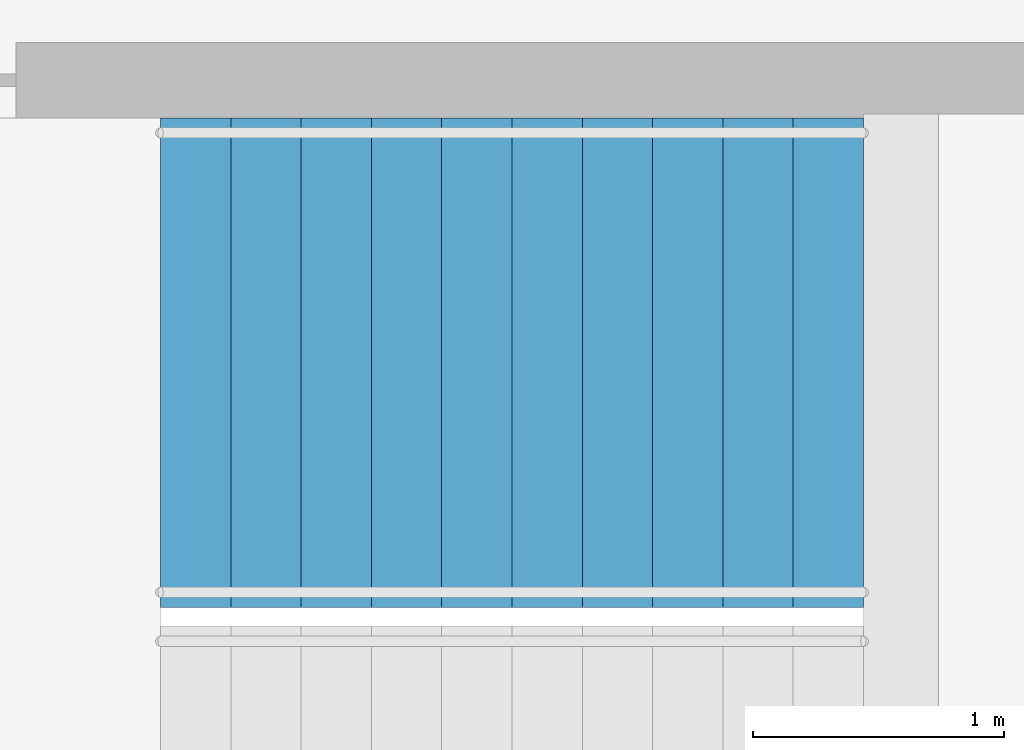
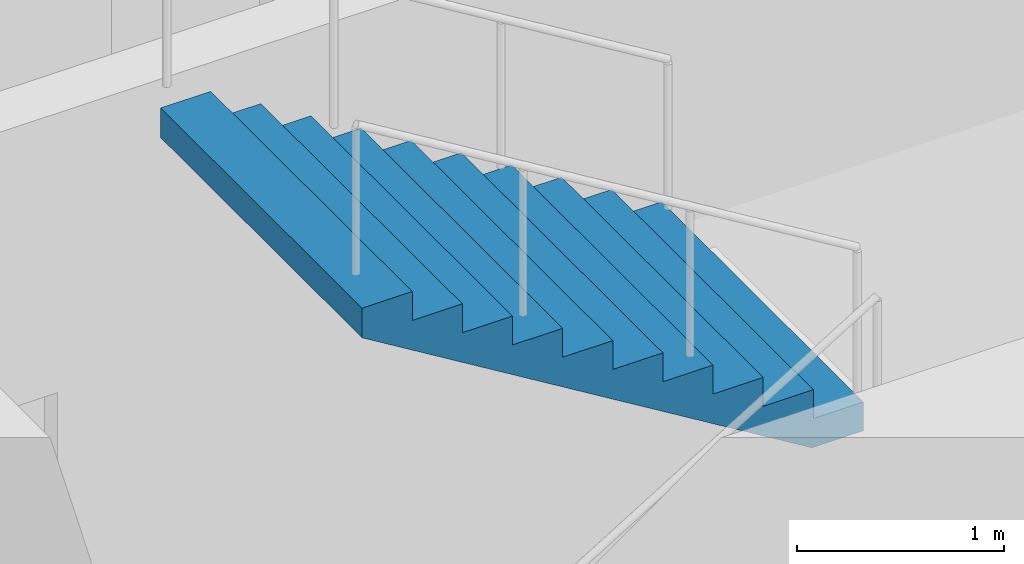
# One storey, part 18 of 21: 1 stair flight, 1 element without a shape of its own.
"""IFC4 building model written with IfcOpenShell, lengths in metres."""

from ifc_helpers import new_model, si_unit, direction, frame, origin, place, context, subcontext, project, spatial, triangles, material, type_object, element, aggregate, save


model = new_model("IFC4")

# Units and contexts
model_context = context("Model", 3, precision=1e-05, world=origin(), true_north=direction((0.0, 1.0)))
body_context = subcontext(model_context, "Body", "Model", "MODEL_VIEW")
ifc_project = project(units=[si_unit("LENGTHUNIT", "METRE"), si_unit("AREAUNIT", "SQUARE_METRE"), si_unit("VOLUMEUNIT", "CUBIC_METRE"), si_unit("PLANEANGLEUNIT", "RADIAN"), si_unit("MASSUNIT", "GRAM", prefix="KILO")], contexts=[model_context])

# Site, building, storey
site_placement = place(None, origin())
site = spatial("IfcSite", under=ifc_project, at=site_placement, CompositionType="ELEMENT")
building_placement = place(site_placement, origin())
building = spatial("IfcBuilding", under=site, at=building_placement, Name="Orbita Commons", CompositionType="ELEMENT")
storey_placement = place(building_placement, frame((0.0, 0.0, 106.89990234375)))
storey = spatial("IfcBuildingStorey", under=building, at=storey_placement, Name="L26", CompositionType="ELEMENT", Elevation=106.89990234375)

# Stair, stair flight
ifc_material_1 = material(Name="Precast concrete C40/50", Category="concrete")
stair_type = type_object("IfcStairType", Name="Exit stair S1 2 flights 11 risers 170", PredefinedType="HALF_TURN_STAIR", material=ifc_material_1)
stair_placement = place(storey_placement, origin())
stair = element("IfcStair", 1, at=stair_placement, inside=storey, type_object=stair_type, Name="Exit stair S1 L26", PredefinedType="HALF_TURN_STAIR")
ifc_material_2 = material(Name="Precast concrete C40/50", Category="concrete")
stair_flight_type = type_object("IfcStairFlightType", Name="Stair flight 11 risers 170 x 280", PredefinedType="STRAIGHT", material=ifc_material_2)
stair_flight_placement = place(storey_placement, frame((23.25, 29.27490234375, 1.875), z_axis=(0.0, 0.0, 1.0), x_axis=(-1.0, 0.0, 0.0)))
stair_flight = element("IfcStairFlight", 2, at=stair_flight_placement, type_object=stair_flight_type, Name="S1 flight 2", NumberOfRisers=11, NumberOfTreads=10, PredefinedType="STRAIGHT", RiserHeight=0.170454545, TreadLength=0.28, context=body_context, shape_type="Tessellation", body=[
    triangles([(0.0, 0.974976, 0.0), (0.0, 0.974976, 0.021307), (0.0, 0.81248, 0.021307), (0.0, 0.81248, 0.0), (0.0, 0.649984, 0.021307), (0.0, 0.649984, 0.0), (0.0, 0.487488, 0.021307), (0.0, 0.487488, 0.0), (0.0, 0.324992, 0.021307), (0.0, 0.324992, 0.0), (0.0, 0.162496, 0.021307), (0.0, 0.162496, 0.0), (0.0, 0.0, 0.021307), (0.0, 0.0, 0.0), (0.0, -0.162496, 0.021307), (0.0, -0.162496, 0.0), (0.0, -0.324992, 0.021307), (0.0, -0.324992, 0.0), (0.0, -0.487488, 0.021307), (0.0, -0.487488, 0.0), (0.0, -0.649984, 0.021307), (0.0, -0.649984, 0.0), (0.0, -0.81248, 0.021307), (0.0, -0.81248, 0.0), (0.0, -0.974976, 0.021307), (0.0, -0.974976, 0.0), (0.0, 0.974976, 0.042614), (0.0, 0.81248, 0.042614), (0.0, 0.649984, 0.042614), (0.0, 0.487488, 0.042614), (0.0, 0.324992, 0.042614), (0.0, 0.162496, 0.042614), (0.0, 0.0, 0.042614), (0.0, -0.162496, 0.042614), (0.0, -0.324992, 0.042614), (0.0, -0.487488, 0.042614), (0.0, -0.649984, 0.042614), (0.0, -0.81248, 0.042614), (0.0, -0.974976, 0.042614), (0.0, 0.974976, 0.06392), (0.0, 0.81248, 0.06392), (0.0, 0.649984, 0.06392), (0.0, 0.487488, 0.06392), (0.0, 0.324992, 0.06392), (0.0, 0.162496, 0.06392), (0.0, 0.0, 0.06392), (0.0, -0.162496, 0.06392), (0.0, -0.324992, 0.06392), (0.0, -0.487488, 0.06392), (0.0, -0.649984, 0.06392), (0.0, -0.81248, 0.06392), (0.0, -0.974976, 0.06392), (0.0, 0.974976, 0.085227), (0.0, 0.81248, 0.085227), (0.0, 0.649984, 0.085227), (0.0, 0.487488, 0.085227), (0.0, 0.324992, 0.085227), (0.0, 0.162496, 0.085227), (0.0, 0.0, 0.085227), (0.0, -0.162496, 0.085227), (0.0, -0.324992, 0.085227), (0.0, -0.487488, 0.085227), (0.0, -0.649984, 0.085227), (0.0, -0.81248, 0.085227), (0.0, -0.974976, 0.085227), (0.0, 0.974976, 0.106534), (0.0, 0.81248, 0.106534), (0.0, 0.649984, 0.106534), (0.0, 0.487488, 0.106534), (0.0, 0.324992, 0.106534), (0.0, 0.162496, 0.106534), (0.0, 0.0, 0.106534), (0.0, -0.162496, 0.106534), (0.0, -0.324992, 0.106534), (0.0, -0.487488, 0.106534), (0.0, -0.649984, 0.106534), (0.0, -0.81248, 0.106534), (0.0, -0.974976, 0.106534), (0.0, 0.974976, 0.127841), (0.0, 0.81248, 0.127841), (0.0, 0.649984, 0.127841), (0.0, 0.487488, 0.127841), (0.0, 0.324992, 0.127841), (0.0, 0.162496, 0.127841), (0.0, 0.0, 0.127841), (0.0, -0.162496, 0.127841), (0.0, -0.324992, 0.127841), (0.0, -0.487488, 0.127841), (0.0, -0.649984, 0.127841), (0.0, -0.81248, 0.127841), (0.0, -0.974976, 0.127841), (0.0, 0.974976, 0.149148), (0.0, 0.81248, 0.149148), (0.0, 0.649984, 0.149148), (0.0, 0.487488, 0.149148), (0.0, 0.324992, 0.149148), (0.0, 0.162496, 0.149148), (0.0, 0.0, 0.149148), (0.0, -0.162496, 0.149148), (0.0, -0.324992, 0.149148), (0.0, -0.487488, 0.149148), (0.0, -0.649984, 0.149148), (0.0, -0.81248, 0.149148), (0.0, -0.974976, 0.149148), (0.0, 0.974976, 0.170455), (0.0, 0.81248, 0.170455), (0.0, 0.649984, 0.170455), (0.0, 0.487488, 0.170455), (0.0, 0.324992, 0.170455), (0.0, 0.162496, 0.170455), (0.0, 0.0, 0.170455), (0.0, -0.162496, 0.170455), (0.0, -0.324992, 0.170455), (0.0, -0.487488, 0.170455), (0.0, -0.649984, 0.170455), (0.0, -0.81248, 0.170455), (0.0, -0.974976, 0.170455), (0.28, 0.974976, 0.170455), (0.28, 0.81248, 0.170455), (0.28, 0.649984, 0.170455), (0.28, 0.487488, 0.170455), (0.28, 0.324992, 0.170455), (0.28, 0.162496, 0.170455), (0.28, 0.0, 0.170455), (0.28, -0.162496, 0.170455), (0.28, -0.324992, 0.170455), (0.28, -0.487488, 0.170455), (0.28, -0.649984, 0.170455), (0.28, -0.81248, 0.170455), (0.28, -0.974976, 0.170455), (0.28, 0.974976, 0.340909), (0.28, 0.81248, 0.340909), (0.28, 0.649984, 0.340909), (0.28, 0.487488, 0.340909), (0.28, 0.324992, 0.340909), (0.28, 0.162496, 0.340909), (0.28, 0.0, 0.340909), (0.28, -0.162496, 0.340909), (0.28, -0.324992, 0.340909), (0.28, -0.487488, 0.340909), (0.28, -0.649984, 0.340909), (0.28, -0.81248, 0.340909), (0.28, -0.974976, 0.340909), (0.56, 0.974976, 0.340909), (0.56, 0.81248, 0.340909), (0.56, 0.649984, 0.340909), (0.56, 0.487488, 0.340909), (0.56, 0.324992, 0.340909), (0.56, 0.162496, 0.340909), (0.56, 0.0, 0.340909), (0.56, -0.162496, 0.340909), (0.56, -0.324992, 0.340909), (0.56, -0.487488, 0.340909), (0.56, -0.649984, 0.340909), (0.56, -0.81248, 0.340909), (0.56, -0.974976, 0.340909), (0.56, 0.974976, 0.511364), (0.56, 0.81248, 0.511364), (0.56, 0.649984, 0.511364), (0.56, 0.487488, 0.511364), (0.56, 0.324992, 0.511364), (0.56, 0.162496, 0.511364), (0.56, 0.0, 0.511364), (0.56, -0.162496, 0.511364), (0.56, -0.324992, 0.511364), (0.56, -0.487488, 0.511364), (0.56, -0.649984, 0.511364), (0.56, -0.81248, 0.511364), (0.56, -0.974976, 0.511364), (0.84, 0.974976, 0.511364), (0.84, 0.81248, 0.511364), (0.84, 0.649984, 0.511364), (0.84, 0.487488, 0.511364), (0.84, 0.324992, 0.511364), (0.84, 0.162496, 0.511364), (0.84, 0.0, 0.511364), (0.84, -0.162496, 0.511364), (0.84, -0.324992, 0.511364), (0.84, -0.487488, 0.511364), (0.84, -0.649984, 0.511364), (0.84, -0.81248, 0.511364), (0.84, -0.974976, 0.511364), (0.84, 0.974976, 0.681818), (0.84, 0.81248, 0.681818), (0.84, 0.649984, 0.681818), (0.84, 0.487488, 0.681818), (0.84, 0.324992, 0.681818), (0.84, 0.162496, 0.681818), (0.84, 0.0, 0.681818), (0.84, -0.162496, 0.681818), (0.84, -0.324992, 0.681818), (0.84, -0.487488, 0.681818), (0.84, -0.649984, 0.681818), (0.84, -0.81248, 0.681818), (0.84, -0.974976, 0.681818), (1.12, 0.974976, 0.681818), (1.12, 0.81248, 0.681818), (1.12, 0.649984, 0.681818), (1.12, 0.487488, 0.681818), (1.12, 0.324992, 0.681818), (1.12, 0.162496, 0.681818), (1.12, 0.0, 0.681818), (1.12, -0.162496, 0.681818), (1.12, -0.324992, 0.681818), (1.12, -0.487488, 0.681818), (1.12, -0.649984, 0.681818), (1.12, -0.81248, 0.681818), (1.12, -0.974976, 0.681818), (1.12, 0.974976, 0.852273), (1.12, 0.81248, 0.852273), (1.12, 0.649984, 0.852273), (1.12, 0.487488, 0.852273), (1.12, 0.324992, 0.852273), (1.12, 0.162496, 0.852273), (1.12, 0.0, 0.852273), (1.12, -0.162496, 0.852273), (1.12, -0.324992, 0.852273), (1.12, -0.487488, 0.852273), (1.12, -0.649984, 0.852273), (1.12, -0.81248, 0.852273), (1.12, -0.974976, 0.852273), (1.4, 0.974976, 0.852273), (1.4, 0.81248, 0.852273), (1.4, 0.649984, 0.852273), (1.4, 0.487488, 0.852273), (1.4, 0.324992, 0.852273), (1.4, 0.162496, 0.852273), (1.4, 0.0, 0.852273), (1.4, -0.162496, 0.852273), (1.4, -0.324992, 0.852273), (1.4, -0.487488, 0.852273), (1.4, -0.649984, 0.852273), (1.4, -0.81248, 0.852273), (1.4, -0.974976, 0.852273), (1.4, 0.974976, 1.022727), (1.4, 0.81248, 1.022727), (1.4, 0.649984, 1.022727), (1.4, 0.487488, 1.022727), (1.4, 0.324992, 1.022727), (1.4, 0.162496, 1.022727), (1.4, 0.0, 1.022727), (1.4, -0.162496, 1.022727), (1.4, -0.324992, 1.022727), (1.4, -0.487488, 1.022727), (1.4, -0.649984, 1.022727), (1.4, -0.81248, 1.022727), (1.4, -0.974976, 1.022727), (1.68, 0.974976, 1.022727), (1.68, 0.81248, 1.022727), (1.68, 0.649984, 1.022727), (1.68, 0.487488, 1.022727), (1.68, 0.324992, 1.022727), (1.68, 0.162496, 1.022727), (1.68, 0.0, 1.022727), (1.68, -0.162496, 1.022727), (1.68, -0.324992, 1.022727), (1.68, -0.487488, 1.022727), (1.68, -0.649984, 1.022727), (1.68, -0.81248, 1.022727), (1.68, -0.974976, 1.022727), (1.68, 0.974976, 1.193182), (1.68, 0.81248, 1.193182), (1.68, 0.649984, 1.193182), (1.68, 0.487488, 1.193182), (1.68, 0.324992, 1.193182), (1.68, 0.162496, 1.193182), (1.68, 0.0, 1.193182), (1.68, -0.162496, 1.193182), (1.68, -0.324992, 1.193182), (1.68, -0.487488, 1.193182), (1.68, -0.649984, 1.193182), (1.68, -0.81248, 1.193182), (1.68, -0.974976, 1.193182), (1.96, 0.974976, 1.193182), (1.96, 0.81248, 1.193182), (1.96, 0.649984, 1.193182), (1.96, 0.487488, 1.193182), (1.96, 0.324992, 1.193182), (1.96, 0.162496, 1.193182), (1.96, 0.0, 1.193182), (1.96, -0.162496, 1.193182), (1.96, -0.324992, 1.193182), (1.96, -0.487488, 1.193182), (1.96, -0.649984, 1.193182), (1.96, -0.81248, 1.193182), (1.96, -0.974976, 1.193182), (1.96, 0.974976, 1.363636), (1.96, 0.81248, 1.363636), (1.96, 0.649984, 1.363636), (1.96, 0.487488, 1.363636), (1.96, 0.324992, 1.363636), (1.96, 0.162496, 1.363636), (1.96, 0.0, 1.363636), (1.96, -0.162496, 1.363636), (1.96, -0.324992, 1.363636), (1.96, -0.487488, 1.363636), (1.96, -0.649984, 1.363636), (1.96, -0.81248, 1.363636), (1.96, -0.974976, 1.363636), (2.24, 0.974976, 1.363636), (2.24, 0.81248, 1.363636), (2.24, 0.649984, 1.363636), (2.24, 0.487488, 1.363636), (2.24, 0.324992, 1.363636), (2.24, 0.162496, 1.363636), (2.24, 0.0, 1.363636), (2.24, -0.162496, 1.363636), (2.24, -0.324992, 1.363636), (2.24, -0.487488, 1.363636), (2.24, -0.649984, 1.363636), (2.24, -0.81248, 1.363636), (2.24, -0.974976, 1.363636), (2.24, 0.974976, 1.534091), (2.24, 0.81248, 1.534091), (2.24, 0.649984, 1.534091), (2.24, 0.487488, 1.534091), (2.24, 0.324992, 1.534091), (2.24, 0.162496, 1.534091), (2.24, 0.0, 1.534091), (2.24, -0.162496, 1.534091), (2.24, -0.324992, 1.534091), (2.24, -0.487488, 1.534091), (2.24, -0.649984, 1.534091), (2.24, -0.81248, 1.534091), (2.24, -0.974976, 1.534091), (2.52, 0.974976, 1.534091), (2.52, 0.81248, 1.534091), (2.52, 0.649984, 1.534091), (2.52, 0.487488, 1.534091), (2.52, 0.324992, 1.534091), (2.52, 0.162496, 1.534091), (2.52, 0.0, 1.534091), (2.52, -0.162496, 1.534091), (2.52, -0.324992, 1.534091), (2.52, -0.487488, 1.534091), (2.52, -0.649984, 1.534091), (2.52, -0.81248, 1.534091), (2.52, -0.974976, 1.534091), (2.52, 0.974976, 1.704545), (2.52, 0.81248, 1.704545), (2.52, 0.649984, 1.704545), (2.52, 0.487488, 1.704545), (2.52, 0.324992, 1.704545), (2.52, 0.162496, 1.704545), (2.52, 0.0, 1.704545), (2.52, -0.162496, 1.704545), (2.52, -0.324992, 1.704545), (2.52, -0.487488, 1.704545), (2.52, -0.649984, 1.704545), (2.52, -0.81248, 1.704545), (2.52, -0.974976, 1.704545), (2.8, 0.974976, 1.704545), (2.8, 0.81248, 1.704545), (2.8, 0.649984, 1.704545), (2.8, 0.487488, 1.704545), (2.8, 0.324992, 1.704545), (2.8, 0.162496, 1.704545), (2.8, 0.0, 1.704545), (2.8, -0.162496, 1.704545), (2.8, -0.324992, 1.704545), (2.8, -0.487488, 1.704545), (2.8, -0.649984, 1.704545), (2.8, -0.81248, 1.704545), (2.8, -0.974976, 1.704545), (2.8, 0.974976, 1.682609), (2.8, 0.81248, 1.682609), (2.8, 0.649984, 1.682609), (2.8, 0.487488, 1.682609), (2.8, 0.324992, 1.682609), (2.8, 0.162496, 1.682609), (2.8, 0.0, 1.682609), (2.8, -0.162496, 1.682609), (2.8, -0.324992, 1.682609), (2.8, -0.487488, 1.682609), (2.8, -0.649984, 1.682609), (2.8, -0.81248, 1.682609), (2.8, -0.974976, 1.682609), (2.8, 0.974976, 1.660672), (2.8, 0.81248, 1.660672), (2.8, 0.649984, 1.660672), (2.8, 0.487488, 1.660672), (2.8, 0.324992, 1.660672), (2.8, 0.162496, 1.660672), (2.8, 0.0, 1.660672), (2.8, -0.162496, 1.660672), (2.8, -0.324992, 1.660672), (2.8, -0.487488, 1.660672), (2.8, -0.649984, 1.660672), (2.8, -0.81248, 1.660672), (2.8, -0.974976, 1.660672), (2.8, 0.974976, 1.638735), (2.8, 0.81248, 1.638735), (2.8, 0.649984, 1.638735), (2.8, 0.487488, 1.638735), (2.8, 0.324992, 1.638735), (2.8, 0.162496, 1.638735), (2.8, 0.0, 1.638735), (2.8, -0.162496, 1.638735), (2.8, -0.324992, 1.638735), (2.8, -0.487488, 1.638735), (2.8, -0.649984, 1.638735), (2.8, -0.81248, 1.638735), (2.8, -0.974976, 1.638735), (2.8, 0.974976, 1.616798), (2.8, 0.81248, 1.616798), (2.8, 0.649984, 1.616798), (2.8, 0.487488, 1.616798), (2.8, 0.324992, 1.616798), (2.8, 0.162496, 1.616798), (2.8, 0.0, 1.616798), (2.8, -0.162496, 1.616798), (2.8, -0.324992, 1.616798), (2.8, -0.487488, 1.616798), (2.8, -0.649984, 1.616798), (2.8, -0.81248, 1.616798), (2.8, -0.974976, 1.616798), (2.8, 0.974976, 1.594861), (2.8, 0.81248, 1.594861), (2.8, 0.649984, 1.594861), (2.8, 0.487488, 1.594861), (2.8, 0.324992, 1.594861), (2.8, 0.162496, 1.594861), (2.8, 0.0, 1.594861), (2.8, -0.162496, 1.594861), (2.8, -0.324992, 1.594861), (2.8, -0.487488, 1.594861), (2.8, -0.649984, 1.594861), (2.8, -0.81248, 1.594861), (2.8, -0.974976, 1.594861), (2.8, 0.974976, 1.572925), (2.8, 0.81248, 1.572925), (2.8, 0.649984, 1.572925), (2.8, 0.487488, 1.572925), (2.8, 0.324992, 1.572925), (2.8, 0.162496, 1.572925), (2.8, 0.0, 1.572925), (2.8, -0.162496, 1.572925), (2.8, -0.324992, 1.572925), (2.8, -0.487488, 1.572925), (2.8, -0.649984, 1.572925), (2.8, -0.81248, 1.572925), (2.8, -0.974976, 1.572925), (2.8, 0.974976, 1.550988), (2.8, 0.81248, 1.550988), (2.8, 0.649984, 1.550988), (2.8, 0.487488, 1.550988), (2.8, 0.324992, 1.550988), (2.8, 0.162496, 1.550988), (2.8, 0.0, 1.550988), (2.8, -0.162496, 1.550988), (2.8, -0.324992, 1.550988), (2.8, -0.487488, 1.550988), (2.8, -0.649984, 1.550988), (2.8, -0.81248, 1.550988), (2.8, -0.974976, 1.550988), (2.8, 0.974976, 1.529051), (2.8, 0.81248, 1.529051), (2.8, 0.649984, 1.529051), (2.8, 0.487488, 1.529051), (2.8, 0.324992, 1.529051), (2.8, 0.162496, 1.529051), (2.8, 0.0, 1.529051), (2.8, -0.162496, 1.529051), (2.8, -0.324992, 1.529051), (2.8, -0.487488, 1.529051), (2.8, -0.649984, 1.529051), (2.8, -0.81248, 1.529051), (2.8, -0.974976, 1.529051), (0.288279, 0.974976, 0.0), (0.288279, 0.81248, 0.0), (0.288279, 0.649984, 0.0), (0.288279, 0.487488, 0.0), (0.288279, 0.324992, 0.0), (0.288279, 0.162496, 0.0), (0.288279, 0.0, 0.0), (0.288279, -0.162496, 0.0), (0.288279, -0.324992, 0.0), (0.288279, -0.487488, 0.0), (0.288279, -0.649984, 0.0), (0.288279, -0.81248, 0.0), (0.288279, -0.974976, 0.0)], [[3, 2, 1], [4, 3, 1], [5, 3, 4], [6, 5, 4], [7, 5, 6], [8, 7, 6], [9, 7, 8], [10, 9, 8], [11, 9, 10], [12, 11, 10], [13, 11, 12], [14, 13, 12], [15, 13, 14], [16, 15, 14], [17, 15, 16], [18, 17, 16], [19, 17, 18], [20, 19, 18], [21, 19, 20], [22, 21, 20], [23, 21, 22], [24, 23, 22], [25, 23, 24], [26, 25, 24], [28, 27, 2], [3, 28, 2], [29, 28, 3], [5, 29, 3], [30, 29, 5], [7, 30, 5], [31, 30, 7], [9, 31, 7], [32, 31, 9], [11, 32, 9], [33, 32, 11], [13, 33, 11], [34, 33, 13], [15, 34, 13], [35, 34, 15], [17, 35, 15], [36, 35, 17], [19, 36, 17], [37, 36, 19], [21, 37, 19], [38, 37, 21], [23, 38, 21], [39, 38, 23], [25, 39, 23], [41, 40, 27], [28, 41, 27], [42, 41, 28], [29, 42, 28], [43, 42, 29], [30, 43, 29], [44, 43, 30], [31, 44, 30], [45, 44, 31], [32, 45, 31], [46, 45, 32], [33, 46, 32], [47, 46, 33], [34, 47, 33], [48, 47, 34], [35, 48, 34], [49, 48, 35], [36, 49, 35], [50, 49, 36], [37, 50, 36], [51, 50, 37], [38, 51, 37], [52, 51, 38], [39, 52, 38], [54, 53, 40], [41, 54, 40], [55, 54, 41], [42, 55, 41], [56, 55, 42], [43, 56, 42], [57, 56, 43], [44, 57, 43], [58, 57, 44], [45, 58, 44], [59, 58, 45], [46, 59, 45], [60, 59, 46], [47, 60, 46], [61, 60, 47], [48, 61, 47], [62, 61, 48], [49, 62, 48], [63, 62, 49], [50, 63, 49], [64, 63, 50], [51, 64, 50], [65, 64, 51], [52, 65, 51], [67, 66, 53], [54, 67, 53], [68, 67, 54], [55, 68, 54], [69, 68, 55], [56, 69, 55], [70, 69, 56], [57, 70, 56], [71, 70, 57], [58, 71, 57], [72, 71, 58], [59, 72, 58], [73, 72, 59], [60, 73, 59], [74, 73, 60], [61, 74, 60], [75, 74, 61], [62, 75, 61], [76, 75, 62], [63, 76, 62], [77, 76, 63], [64, 77, 63], [78, 77, 64], [65, 78, 64], [80, 79, 66], [67, 80, 66], [81, 80, 67], [68, 81, 67], [82, 81, 68], [69, 82, 68], [83, 82, 69], [70, 83, 69], [84, 83, 70], [71, 84, 70], [85, 84, 71], [72, 85, 71], [86, 85, 72], [73, 86, 72], [87, 86, 73], [74, 87, 73], [88, 87, 74], [75, 88, 74], [89, 88, 75], [76, 89, 75], [90, 89, 76], [77, 90, 76], [91, 90, 77], [78, 91, 77], [93, 92, 79], [80, 93, 79], [94, 93, 80], [81, 94, 80], [95, 94, 81], [82, 95, 81], [96, 95, 82], [83, 96, 82], [97, 96, 83], [84, 97, 83], [98, 97, 84], [85, 98, 84], [99, 98, 85], [86, 99, 85], [100, 99, 86], [87, 100, 86], [101, 100, 87], [88, 101, 87], [102, 101, 88], [89, 102, 88], [103, 102, 89], [90, 103, 89], [104, 103, 90], [91, 104, 90], [106, 105, 92], [93, 106, 92], [107, 106, 93], [94, 107, 93], [108, 107, 94], [95, 108, 94], [109, 108, 95], [96, 109, 95], [110, 109, 96], [97, 110, 96], [111, 110, 97], [98, 111, 97], [112, 111, 98], [99, 112, 98], [113, 112, 99], [100, 113, 99], [114, 113, 100], [101, 114, 100], [115, 114, 101], [102, 115, 101], [116, 115, 102], [103, 116, 102], [117, 116, 103], [104, 117, 103], [119, 118, 105], [106, 119, 105], [120, 119, 106], [107, 120, 106], [121, 120, 107], [108, 121, 107], [122, 121, 108], [109, 122, 108], [123, 122, 109], [110, 123, 109], [124, 123, 110], [111, 124, 110], [125, 124, 111], [112, 125, 111], [126, 125, 112], [113, 126, 112], [127, 126, 113], [114, 127, 113], [128, 127, 114], [115, 128, 114], [129, 128, 115], [116, 129, 115], [130, 129, 116], [117, 130, 116], [132, 131, 118], [119, 132, 118], [133, 132, 119], [120, 133, 119], [134, 133, 120], [121, 134, 120], [135, 134, 121], [122, 135, 121], [136, 135, 122], [123, 136, 122], [137, 136, 123], [124, 137, 123], [138, 137, 124], [125, 138, 124], [139, 138, 125], [126, 139, 125], [140, 139, 126], [127, 140, 126], [141, 140, 127], [128, 141, 127], [142, 141, 128], [129, 142, 128], [143, 142, 129], [130, 143, 129], [145, 144, 131], [132, 145, 131], [146, 145, 132], [133, 146, 132], [147, 146, 133], [134, 147, 133], [148, 147, 134], [135, 148, 134], [149, 148, 135], [136, 149, 135], [150, 149, 136], [137, 150, 136], [151, 150, 137], [138, 151, 137], [152, 151, 138], [139, 152, 138], [153, 152, 139], [140, 153, 139], [154, 153, 140], [141, 154, 140], [155, 154, 141], [142, 155, 141], [156, 155, 142], [143, 156, 142], [158, 157, 144], [145, 158, 144], [159, 158, 145], [146, 159, 145], [160, 159, 146], [147, 160, 146], [161, 160, 147], [148, 161, 147], [162, 161, 148], [149, 162, 148], [163, 162, 149], [150, 163, 149], [164, 163, 150], [151, 164, 150], [165, 164, 151], [152, 165, 151], [166, 165, 152], [153, 166, 152], [167, 166, 153], [154, 167, 153], [168, 167, 154], [155, 168, 154], [169, 168, 155], [156, 169, 155], [171, 170, 157], [158, 171, 157], [172, 171, 158], [159, 172, 158], [173, 172, 159], [160, 173, 159], [174, 173, 160], [161, 174, 160], [175, 174, 161], [162, 175, 161], [176, 175, 162], [163, 176, 162], [177, 176, 163], [164, 177, 163], [178, 177, 164], [165, 178, 164], [179, 178, 165], [166, 179, 165], [180, 179, 166], [167, 180, 166], [181, 180, 167], [168, 181, 167], [182, 181, 168], [169, 182, 168], [184, 183, 170], [171, 184, 170], [185, 184, 171], [172, 185, 171], [186, 185, 172], [173, 186, 172], [187, 186, 173], [174, 187, 173], [188, 187, 174], [175, 188, 174], [189, 188, 175], [176, 189, 175], [190, 189, 176], [177, 190, 176], [191, 190, 177], [178, 191, 177], [192, 191, 178], [179, 192, 178], [193, 192, 179], [180, 193, 179], [194, 193, 180], [181, 194, 180], [195, 194, 181], [182, 195, 181], [197, 196, 183], [184, 197, 183], [198, 197, 184], [185, 198, 184], [199, 198, 185], [186, 199, 185], [200, 199, 186], [187, 200, 186], [201, 200, 187], [188, 201, 187], [202, 201, 188], [189, 202, 188], [203, 202, 189], [190, 203, 189], [204, 203, 190], [191, 204, 190], [205, 204, 191], [192, 205, 191], [206, 205, 192], [193, 206, 192], [207, 206, 193], [194, 207, 193], [208, 207, 194], [195, 208, 194], [210, 209, 196], [197, 210, 196], [211, 210, 197], [198, 211, 197], [212, 211, 198], [199, 212, 198], [213, 212, 199], [200, 213, 199], [214, 213, 200], [201, 214, 200], [215, 214, 201], [202, 215, 201], [216, 215, 202], [203, 216, 202], [217, 216, 203], [204, 217, 203], [218, 217, 204], [205, 218, 204], [219, 218, 205], [206, 219, 205], [220, 219, 206], [207, 220, 206], [221, 220, 207], [208, 221, 207], [223, 222, 209], [210, 223, 209], [224, 223, 210], [211, 224, 210], [225, 224, 211], [212, 225, 211], [226, 225, 212], [213, 226, 212], [227, 226, 213], [214, 227, 213], [228, 227, 214], [215, 228, 214], [229, 228, 215], [216, 229, 215], [230, 229, 216], [217, 230, 216], [231, 230, 217], [218, 231, 217], [232, 231, 218], [219, 232, 218], [233, 232, 219], [220, 233, 219], [234, 233, 220], [221, 234, 220], [236, 235, 222], [223, 236, 222], [237, 236, 223], [224, 237, 223], [238, 237, 224], [225, 238, 224], [239, 238, 225], [226, 239, 225], [240, 239, 226], [227, 240, 226], [241, 240, 227], [228, 241, 227], [242, 241, 228], [229, 242, 228], [243, 242, 229], [230, 243, 229], [244, 243, 230], [231, 244, 230], [245, 244, 231], [232, 245, 231], [246, 245, 232], [233, 246, 232], [247, 246, 233], [234, 247, 233], [249, 248, 235], [236, 249, 235], [250, 249, 236], [237, 250, 236], [251, 250, 237], [238, 251, 237], [252, 251, 238], [239, 252, 238], [253, 252, 239], [240, 253, 239], [254, 253, 240], [241, 254, 240], [255, 254, 241], [242, 255, 241], [256, 255, 242], [243, 256, 242], [257, 256, 243], [244, 257, 243], [258, 257, 244], [245, 258, 244], [259, 258, 245], [246, 259, 245], [260, 259, 246], [247, 260, 246], [262, 261, 248], [249, 262, 248], [263, 262, 249], [250, 263, 249], [264, 263, 250], [251, 264, 250], [265, 264, 251], [252, 265, 251], [266, 265, 252], [253, 266, 252], [267, 266, 253], [254, 267, 253], [268, 267, 254], [255, 268, 254], [269, 268, 255], [256, 269, 255], [270, 269, 256], [257, 270, 256], [271, 270, 257], [258, 271, 257], [272, 271, 258], [259, 272, 258], [273, 272, 259], [260, 273, 259], [275, 274, 261], [262, 275, 261], [276, 275, 262], [263, 276, 262], [277, 276, 263], [264, 277, 263], [278, 277, 264], [265, 278, 264], [279, 278, 265], [266, 279, 265], [280, 279, 266], [267, 280, 266], [281, 280, 267], [268, 281, 267], [282, 281, 268], [269, 282, 268], [283, 282, 269], [270, 283, 269], [284, 283, 270], [271, 284, 270], [285, 284, 271], [272, 285, 271], [286, 285, 272], [273, 286, 272], [288, 287, 274], [275, 288, 274], [289, 288, 275], [276, 289, 275], [290, 289, 276], [277, 290, 276], [291, 290, 277], [278, 291, 277], [292, 291, 278], [279, 292, 278], [293, 292, 279], [280, 293, 279], [294, 293, 280], [281, 294, 280], [295, 294, 281], [282, 295, 281], [296, 295, 282], [283, 296, 282], [297, 296, 283], [284, 297, 283], [298, 297, 284], [285, 298, 284], [299, 298, 285], [286, 299, 285], [301, 300, 287], [288, 301, 287], [302, 301, 288], [289, 302, 288], [303, 302, 289], [290, 303, 289], [304, 303, 290], [291, 304, 290], [305, 304, 291], [292, 305, 291], [306, 305, 292], [293, 306, 292], [307, 306, 293], [294, 307, 293], [308, 307, 294], [295, 308, 294], [309, 308, 295], [296, 309, 295], [310, 309, 296], [297, 310, 296], [311, 310, 297], [298, 311, 297], [312, 311, 298], [299, 312, 298], [314, 313, 300], [301, 314, 300], [315, 314, 301], [302, 315, 301], [316, 315, 302], [303, 316, 302], [317, 316, 303], [304, 317, 303], [318, 317, 304], [305, 318, 304], [319, 318, 305], [306, 319, 305], [320, 319, 306], [307, 320, 306], [321, 320, 307], [308, 321, 307], [322, 321, 308], [309, 322, 308], [323, 322, 309], [310, 323, 309], [324, 323, 310], [311, 324, 310], [325, 324, 311], [312, 325, 311], [327, 326, 313], [314, 327, 313], [328, 327, 314], [315, 328, 314], [329, 328, 315], [316, 329, 315], [330, 329, 316], [317, 330, 316], [331, 330, 317], [318, 331, 317], [332, 331, 318], [319, 332, 318], [333, 332, 319], [320, 333, 319], [334, 333, 320], [321, 334, 320], [335, 334, 321], [322, 335, 321], [336, 335, 322], [323, 336, 322], [337, 336, 323], [324, 337, 323], [338, 337, 324], [325, 338, 324], [340, 339, 326], [327, 340, 326], [341, 340, 327], [328, 341, 327], [342, 341, 328], [329, 342, 328], [343, 342, 329], [330, 343, 329], [344, 343, 330], [331, 344, 330], [345, 344, 331], [332, 345, 331], [346, 345, 332], [333, 346, 332], [347, 346, 333], [334, 347, 333], [348, 347, 334], [335, 348, 334], [349, 348, 335], [336, 349, 335], [350, 349, 336], [337, 350, 336], [351, 350, 337], [338, 351, 337], [353, 352, 339], [340, 353, 339], [354, 353, 340], [341, 354, 340], [355, 354, 341], [342, 355, 341], [356, 355, 342], [343, 356, 342], [357, 356, 343], [344, 357, 343], [358, 357, 344], [345, 358, 344], [359, 358, 345], [346, 359, 345], [360, 359, 346], [347, 360, 346], [361, 360, 347], [348, 361, 347], [362, 361, 348], [349, 362, 348], [363, 362, 349], [350, 363, 349], [364, 363, 350], [351, 364, 350], [366, 365, 352], [353, 366, 352], [367, 366, 353], [354, 367, 353], [368, 367, 354], [355, 368, 354], [369, 368, 355], [356, 369, 355], [370, 369, 356], [357, 370, 356], [371, 370, 357], [358, 371, 357], [372, 371, 358], [359, 372, 358], [373, 372, 359], [360, 373, 359], [374, 373, 360], [361, 374, 360], [375, 374, 361], [362, 375, 361], [376, 375, 362], [363, 376, 362], [377, 376, 363], [364, 377, 363], [379, 378, 365], [366, 379, 365], [380, 379, 366], [367, 380, 366], [381, 380, 367], [368, 381, 367], [382, 381, 368], [369, 382, 368], [383, 382, 369], [370, 383, 369], [384, 383, 370], [371, 384, 370], [385, 384, 371], [372, 385, 371], [386, 385, 372], [373, 386, 372], [387, 386, 373], [374, 387, 373], [388, 387, 374], [375, 388, 374], [389, 388, 375], [376, 389, 375], [390, 389, 376], [377, 390, 376], [392, 391, 378], [379, 392, 378], [393, 392, 379], [380, 393, 379], [394, 393, 380], [381, 394, 380], [395, 394, 381], [382, 395, 381], [396, 395, 382], [383, 396, 382], [397, 396, 383], [384, 397, 383], [398, 397, 384], [385, 398, 384], [399, 398, 385], [386, 399, 385], [400, 399, 386], [387, 400, 386], [401, 400, 387], [388, 401, 387], [402, 401, 388], [389, 402, 388], [403, 402, 389], [390, 403, 389], [405, 404, 391], [392, 405, 391], [406, 405, 392], [393, 406, 392], [407, 406, 393], [394, 407, 393], [408, 407, 394], [395, 408, 394], [409, 408, 395], [396, 409, 395], [410, 409, 396], [397, 410, 396], [411, 410, 397], [398, 411, 397], [412, 411, 398], [399, 412, 398], [413, 412, 399], [400, 413, 399], [414, 413, 400], [401, 414, 400], [415, 414, 401], [402, 415, 401], [416, 415, 402], [403, 416, 402], [418, 417, 404], [405, 418, 404], [419, 418, 405], [406, 419, 405], [420, 419, 406], [407, 420, 406], [421, 420, 407], [408, 421, 407], [422, 421, 408], [409, 422, 408], [423, 422, 409], [410, 423, 409], [424, 423, 410], [411, 424, 410], [425, 424, 411], [412, 425, 411], [426, 425, 412], [413, 426, 412], [427, 426, 413], [414, 427, 413], [428, 427, 414], [415, 428, 414], [429, 428, 415], [416, 429, 415], [431, 430, 417], [418, 431, 417], [432, 431, 418], [419, 432, 418], [433, 432, 419], [420, 433, 419], [434, 433, 420], [421, 434, 420], [435, 434, 421], [422, 435, 421], [436, 435, 422], [423, 436, 422], [437, 436, 423], [424, 437, 423], [438, 437, 424], [425, 438, 424], [439, 438, 425], [426, 439, 425], [440, 439, 426], [427, 440, 426], [441, 440, 427], [428, 441, 427], [442, 441, 428], [429, 442, 428], [444, 443, 430], [431, 444, 430], [445, 444, 431], [432, 445, 431], [446, 445, 432], [433, 446, 432], [447, 446, 433], [434, 447, 433], [448, 447, 434], [435, 448, 434], [449, 448, 435], [436, 449, 435], [450, 449, 436], [437, 450, 436], [451, 450, 437], [438, 451, 437], [452, 451, 438], [439, 452, 438], [453, 452, 439], [440, 453, 439], [454, 453, 440], [441, 454, 440], [455, 454, 441], [442, 455, 441], [457, 456, 443], [444, 457, 443], [458, 457, 444], [445, 458, 444], [459, 458, 445], [446, 459, 445], [460, 459, 446], [447, 460, 446], [461, 460, 447], [448, 461, 447], [462, 461, 448], [449, 462, 448], [463, 462, 449], [450, 463, 449], [464, 463, 450], [451, 464, 450], [465, 464, 451], [452, 465, 451], [466, 465, 452], [453, 466, 452], [467, 466, 453], [454, 467, 453], [468, 467, 454], [455, 468, 454], [470, 469, 456], [457, 470, 456], [471, 470, 457], [458, 471, 457], [472, 471, 458], [459, 472, 458], [473, 472, 459], [460, 473, 459], [474, 473, 460], [461, 474, 460], [475, 474, 461], [462, 475, 461], [476, 475, 462], [463, 476, 462], [477, 476, 463], [464, 477, 463], [478, 477, 464], [465, 478, 464], [479, 478, 465], [466, 479, 465], [480, 479, 466], [467, 480, 466], [481, 480, 467], [468, 481, 467], [4, 1, 469], [470, 4, 469], [6, 4, 470], [471, 6, 470], [8, 6, 471], [472, 8, 471], [10, 8, 472], [473, 10, 472], [12, 10, 473], [474, 12, 473], [14, 12, 474], [475, 14, 474], [16, 14, 475], [476, 16, 475], [18, 16, 476], [477, 18, 476], [20, 18, 477], [478, 20, 477], [22, 20, 478], [479, 22, 478], [24, 22, 479], [480, 24, 479], [26, 24, 480], [481, 26, 480], [456, 469, 1], [26, 481, 468], [443, 456, 1], [26, 468, 455], [430, 443, 1], [26, 455, 442], [417, 430, 1], [26, 442, 429], [404, 417, 1], [26, 429, 416], [391, 404, 1], [26, 416, 403], [378, 391, 1], [26, 403, 390], [365, 378, 1], [26, 390, 377], [339, 352, 365], [377, 364, 351], [326, 339, 365], [377, 351, 338], [300, 313, 326], [338, 325, 312], [300, 326, 365], [377, 338, 312], [274, 287, 300], [312, 299, 286], [274, 300, 365], [377, 312, 286], [248, 261, 274], [286, 273, 260], [248, 274, 365], [377, 286, 260], [222, 235, 248], [260, 247, 234], [222, 248, 365], [377, 260, 234], [196, 209, 222], [234, 221, 208], [196, 222, 365], [377, 234, 208], [170, 183, 196], [208, 195, 182], [170, 196, 365], [377, 208, 182], [144, 157, 170], [182, 169, 156], [144, 170, 365], [377, 182, 156], [118, 131, 144], [156, 143, 130], [118, 144, 365], [377, 156, 130], [118, 365, 1], [26, 377, 130], [92, 105, 118], [130, 117, 104], [79, 92, 118], [130, 104, 91], [66, 79, 118], [130, 91, 78], [53, 66, 118], [130, 78, 65], [40, 53, 118], [130, 65, 52], [27, 40, 118], [130, 52, 39], [2, 27, 118], [130, 39, 25], [1, 2, 118], [130, 25, 26]], closed=True),
])
aggregate(stair, [stair_flight])

save(model, "model.ifc")
